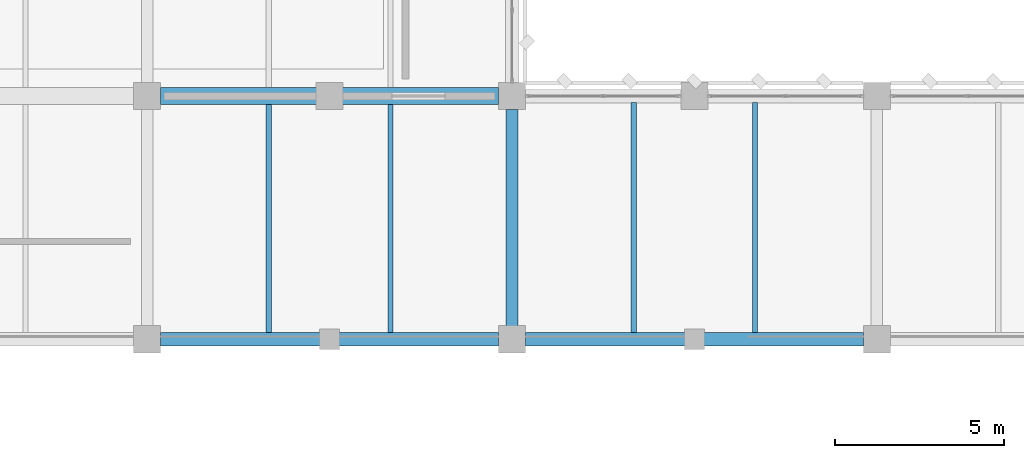
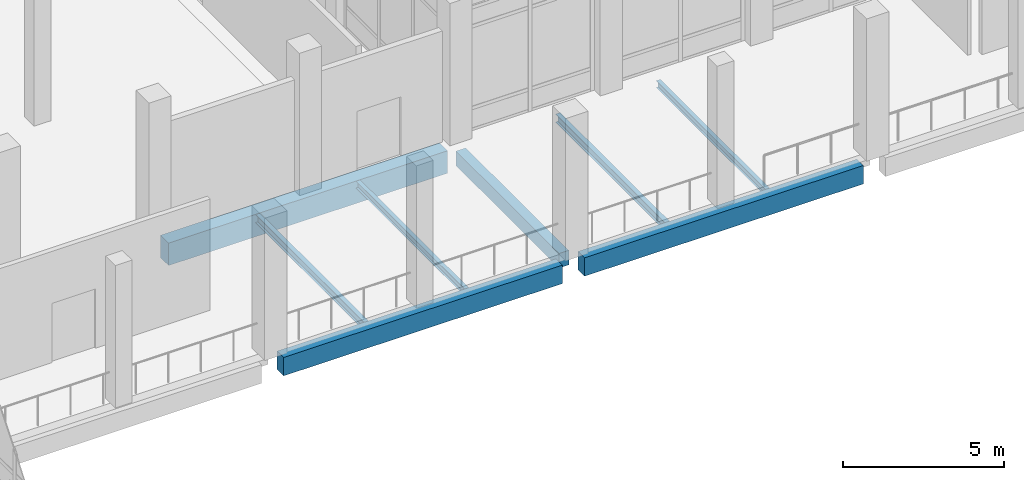
# One storey, part 19 of 180: 8 beams.
"""IFC4 building model written with IfcOpenShell, lengths in metres."""

import ifcopenshell
import ifcopenshell.guid

model = None  # the IFC model being written
_history = None  # IfcOwnerHistory: only IFC2X3 demands one
_inside = {}  # id of a spatial element -> (the spatial element, [elements in it])
_under = {}  # id of a project, library or spatial element -> (it, [spatial elements below it])
_declared = {}  # id of a project -> (the project, [libraries it declares])
_typed = {}  # id of a type object -> (the type object, [elements of that type])
_made_of = {}  # id of a material, layer set ... -> (it, [elements and type objects made of it])


def new_model(schema):
    """Start an empty IFC model of exactly this schema.

    Asked for "IFC4X3", IfcOpenShell would pick the latest addendum, in which some entities
    have other attributes; the version numbers below select the first issue.
    IFC2X3 requires an IfcOwnerHistory on every rooted entity: one is made here for all.
    """
    global model, _history
    if schema == "IFC4X3":
        model = ifcopenshell.file(schema_version=(4, 3, 0, 0))
    else:
        model = ifcopenshell.file(schema=schema)
    _inside.clear()
    _under.clear()
    _declared.clear()
    _typed.clear()
    _made_of.clear()
    _history = None
    if model.schema == "IFC2X3":
        org = make("IfcOrganization", Name="unknown")
        user = make(
            "IfcPersonAndOrganization",
            ThePerson=make("IfcPerson", FamilyName="unknown"),
            TheOrganization=org,
        )
        app = make(
            "IfcApplication",
            ApplicationDeveloper=org,
            Version="unknown",
            ApplicationFullName="unknown",
            ApplicationIdentifier="unknown",
        )
        _history = make(
            "IfcOwnerHistory",
            OwningUser=user,
            OwningApplication=app,
            ChangeAction="ADDED",
            CreationDate=0,
        )
    return model


def make(cls, **values):
    """One entity of the class cls with the attributes given. An attribute that is None is left unset."""
    return model.create_entity(
        cls, **{name: value for name, value in values.items() if value is not None}
    )


def rooted(cls, **values):
    """An entity with a GlobalId (a new one), such as an element, a storey or a relation."""
    return make(cls, GlobalId=ifcopenshell.guid.new(), OwnerHistory=_history, **values)


def si_unit(unit_type, name, prefix=None):
    """IfcSIUnit, for example si_unit("LENGTHUNIT", "METRE", prefix="MILLI")."""
    return make("IfcSIUnit", UnitType=unit_type, Prefix=prefix, Name=name)


def assignment(units):
    """IfcUnitAssignment: the units of a project."""
    return None if units is None else make("IfcUnitAssignment", Units=units)


def point(xyz):
    """IfcCartesianPoint."""
    return None if xyz is None else make("IfcCartesianPoint", Coordinates=xyz)


def direction(xyz):
    """IfcDirection."""
    return None if xyz is None else make("IfcDirection", DirectionRatios=xyz)


def frame(location, z_axis=None, x_axis=None):
    """IfcAxis2Placement3D, a coordinate frame: its origin and axes. An axis left out is left unset."""
    return make(
        "IfcAxis2Placement3D",
        Location=point(location),
        Axis=direction(z_axis),
        RefDirection=direction(x_axis),
    )


def frame_2d(location, x_axis=None):
    """IfcAxis2Placement2D, a coordinate frame in the plane: its origin and x axis."""
    return make(
        "IfcAxis2Placement2D", Location=point(location), RefDirection=direction(x_axis)
    )


def origin():
    """The frame at (0, 0, 0) with its axes left unset."""
    return frame((0.0, 0.0, 0.0))


def origin_2d():
    """The frame at (0, 0) in the plane with its x axis left unset."""
    return frame_2d((0.0, 0.0))


def place(relative_to, where):
    """IfcLocalPlacement: puts the frame where relative to a parent placement (None: the world)."""
    return make(
        "IfcLocalPlacement", PlacementRelTo=relative_to, RelativePlacement=where
    )


def context(
    kind, dimensions, precision=None, world=None, true_north=None, identifier=None
):
    """IfcGeometricRepresentationContext, for example the 3D "Model" context."""
    return make(
        "IfcGeometricRepresentationContext",
        ContextIdentifier=identifier,
        ContextType=kind,
        CoordinateSpaceDimension=dimensions,
        Precision=precision,
        WorldCoordinateSystem=world,
        TrueNorth=true_north,
    )


def subcontext(parent, identifier, kind, view, scale=None):
    """IfcGeometricRepresentationSubContext, for example "Body" below "Model"."""
    return make(
        "IfcGeometricRepresentationSubContext",
        ContextIdentifier=identifier,
        ContextType=kind,
        ParentContext=parent,
        TargetScale=scale,
        TargetView=view,
    )


def project(units=None, contexts=None):
    """IfcProject with its units and contexts."""
    return rooted(
        "IfcProject",
        Name="project",
        RepresentationContexts=contexts,
        UnitsInContext=assignment(units),
    )


def spatial(cls, under=None, at=None, **own):
    """A site, building, storey or space (cls), placed at a placement, below another one or the project."""
    s = rooted(cls, ObjectPlacement=at, **own)
    if under is not None:
        _under.setdefault(under.id(), (under, []))[1].append(s)
    return s


def profile(cls, at=None, kind="AREA", **sizes):
    """A parametric profile (cls). Its sizes go by their IFC names, for example OverallWidth=200.0."""
    return make(cls, ProfileType=kind, Position=at, **sizes)


def rectangle(**sizes):
    """IfcRectangleProfileDef."""
    return profile("IfcRectangleProfileDef", **sizes)


def i_section(**sizes):
    """IfcIShapeProfileDef."""
    return profile("IfcIShapeProfileDef", **sizes)


def extrude(swept, where, along, depth):
    """IfcExtrudedAreaSolid: the profile swept, set in the frame where, extruded along a direction by depth."""
    return make(
        "IfcExtrudedAreaSolid",
        SweptArea=swept,
        Position=where,
        ExtrudedDirection=direction(along),
        Depth=depth,
    )


def shape(context_of_items, identifier, shape_type, items):
    """IfcShapeRepresentation: the items that make up one representation, for example the "Body"."""
    return make(
        "IfcShapeRepresentation",
        ContextOfItems=context_of_items,
        RepresentationIdentifier=identifier,
        RepresentationType=shape_type,
        Items=items,
    )


def material(Name=None, Category=None):
    """IfcMaterial."""
    return make("IfcMaterial", Name=Name, Category=Category)


def material_profile(
    of_material, cross_section, Name=None, Category=None, Priority=None
):
    """IfcMaterialProfile: a cross section and its material."""
    return make(
        "IfcMaterialProfile",
        Name=Name,
        Material=of_material,
        Profile=cross_section,
        Priority=Priority,
        Category=Category,
    )


def profile_set(profiles, Name=None, composite=None):
    """IfcMaterialProfileSet."""
    return make(
        "IfcMaterialProfileSet",
        Name=Name,
        MaterialProfiles=profiles,
        CompositeProfile=composite,
    )


def made_of(thing, what):
    """Note that an element or type object is made of a material, layer set ...; save() writes the relation."""
    if what is not None:
        _made_of.setdefault(what.id(), (what, []))[1].append(thing)
    return thing


def type_object(cls, material=None, **own):
    """A type object (cls), such as IfcWallType, which elements share."""
    return made_of(rooted(cls, **own), material)


def element(
    cls,
    number,
    at=None,
    inside=None,
    cuts=None,
    type_object=None,
    material=None,
    context=None,
    identifier="Body",
    shape_type=None,
    held_by="IfcProductDefinitionShape",
    body=None,
    shapes=None,
    **own,
):
    """One element of the class cls, such as IfcWall. Its Tag is "e" and its number.

    at: its placement. inside: the storey or other place that contains it. cuts: it is an
    opening in that element (IfcRelVoidsElement). A single representation is given by context,
    identifier, shape_type and body (its items); several are given by shapes. held_by: the class
    of the entity that holds the representations. save() writes the other relations.
    """
    e = rooted(cls, Tag="e%d" % number, ObjectPlacement=at, **own)
    if body is not None:
        shapes = [shape(context, identifier, shape_type, body)]
    if shapes is not None:
        e.Representation = make(held_by, Representations=shapes)
    if inside is not None:
        _inside.setdefault(inside.id(), (inside, []))[1].append(e)
    if cuts is not None:
        rooted(
            "IfcRelVoidsElement", RelatingBuildingElement=cuts, RelatedOpeningElement=e
        )
    if type_object is not None:
        _typed.setdefault(type_object.id(), (type_object, []))[1].append(e)
    return made_of(e, material)


def aggregate(whole, parts):
    """IfcRelAggregates: a whole, such as a stair, and the parts it consists of."""
    return rooted("IfcRelAggregates", RelatingObject=whole, RelatedObjects=parts)


def save(model, path):
    """Write the relations noted so far, then the file.

    IfcRelAggregates (storeys below a building ...), IfcRelContainedInSpatialStructure (elements
    in a storey), IfcRelDefinesByType, IfcRelAssociatesMaterial and IfcRelDeclares: one each for
    every whole, place, type object, material and project.
    """
    for whole, parts in _under.values():
        aggregate(whole, parts)
    for where, things in _inside.values():
        rooted(
            "IfcRelContainedInSpatialStructure",
            RelatedElements=things,
            RelatingStructure=where,
        )
    for kind, things in _typed.values():
        rooted("IfcRelDefinesByType", RelatedObjects=things, RelatingType=kind)
    for what, things in _made_of.values():
        rooted("IfcRelAssociatesMaterial", RelatedObjects=things, RelatingMaterial=what)
    for by, libraries in _declared.values():
        rooted("IfcRelDeclares", RelatingContext=by, RelatedDefinitions=libraries)
    model.write(path)


model = new_model("IFC4")

# Units and contexts
model_context = context("Model", 3, precision=1e-05, world=origin(), true_north=direction((0.0, 1.0)))
body_context = subcontext(model_context, "Body", "Model", "MODEL_VIEW")
ifc_project = project(units=[si_unit("LENGTHUNIT", "METRE"), si_unit("AREAUNIT", "SQUARE_METRE"), si_unit("VOLUMEUNIT", "CUBIC_METRE"), si_unit("PLANEANGLEUNIT", "RADIAN"), si_unit("MASSUNIT", "GRAM", prefix="KILO")], contexts=[model_context])

# Site, building, storey
site_placement = place(None, origin())
site = spatial("IfcSite", under=ifc_project, at=site_placement, CompositionType="ELEMENT")
building_placement = place(site_placement, origin())
building = spatial("IfcBuilding", under=site, at=building_placement, Name="Lusvemor Sports Hall", CompositionType="ELEMENT")
storey_placement = place(building_placement, frame((0.0, 0.0, 5.39990234375)))
storey = spatial("IfcBuildingStorey", under=building, at=storey_placement, Name="L01", CompositionType="ELEMENT", Elevation=5.39990234375)

# Beams
ifc_material_1 = material(Name="Concrete C40/50", Category="concrete")
ifc_material_profile_1 = material_profile(ifc_material_1, rectangle(XDim=0.35009765625, YDim=0.550048828125, at=origin_2d()), Name="RC350x550")
ifc_profile_set_1 = profile_set([ifc_material_profile_1], Name="Concrete C40/50")
beam_type_1 = type_object("IfcBeamType", Name="BEAM_RC_550", PredefinedType="BEAM", material=ifc_profile_set_1)
beam_1_placement = place(storey_placement, frame((21.60009765625, 39.99609375, -0.554931640625), z_axis=(0.0, 1.0, 0.0), x_axis=(-1.0, 0.0, 0.0)))
element("IfcBeam", 1, at=beam_1_placement, inside=storey, type_object=beam_type_1, Name="Beam L01 3:E-F", PredefinedType="BEAM", context=body_context, shape_type="SweptSolid", body=[
    extrude(rectangle(XDim=0.35009765625, YDim=0.550048828125, at=origin_2d()), origin(), (0.0, 0.0, 1.0), 6.407958984375),
])
ifc_material_2 = material(Name="Concrete C40/50", Category="concrete")
ifc_material_profile_2 = material_profile(ifc_material_2, rectangle(XDim=0.5, YDim=0.85009765625, at=origin_2d()), Name="RC500x850")
ifc_profile_set_2 = profile_set([ifc_material_profile_2], Name="Concrete C40/50")
beam_type_2 = type_object("IfcBeamType", Name="GIRD_RC_850", PredefinedType="T_BEAM", material=ifc_profile_set_2)
beam_2_placement = place(storey_placement, frame((11.196044921875, 46.800048828125, -0.704833984375), z_axis=(1.0, 0.0, 0.0), x_axis=(0.0, 1.0, 0.0)))
element("IfcBeam", 2, at=beam_2_placement, inside=storey, type_object=beam_type_2, Name="Beam L01 F:2-3", PredefinedType="T_BEAM", context=body_context, shape_type="SweptSolid", body=[
    extrude(rectangle(XDim=0.5, YDim=0.85009765625, at=origin_2d()), origin(), (0.0, 0.0, 1.0), 10.008056640625),
])
ifc_material_3 = material(Name="Steel S355", Category="steel")
ifc_material_profile_3 = material_profile(ifc_material_3, i_section(OverallWidth=0.14794921875, OverallDepth=0.26611328125, WebThickness=0.007568359375, FlangeThickness=0.012939453125, FilletRadius=0.012939453125, at=origin_2d()), Name="W250x44.8")
ifc_profile_set_3 = profile_set([ifc_material_profile_3], Name="Steel S355")
beam_type_3 = type_object("IfcBeamType", Name="JOIST_ST_250M", PredefinedType="JOIST", material=ifc_profile_set_3)
beam_3_placement = place(storey_placement, frame((18.0, 39.7958984375, -0.4169921875), z_axis=(0.0, 1.0, 0.0), x_axis=(-1.0, 0.0, 0.0)))
element("IfcBeam", 3, at=beam_3_placement, inside=storey, type_object=beam_type_3, Name="Secondary Joist L01 2-3/E-F #2", PredefinedType="JOIST", context=body_context, shape_type="SweptSolid", body=[
    extrude(i_section(OverallWidth=0.14794921875, OverallDepth=0.26611328125, WebThickness=0.007568359375, FlangeThickness=0.012939453125, FilletRadius=0.012939453125, at=origin_2d()), origin(), (0.0, 0.0, 1.0), 6.758056640625),
])
beam_4_placement = place(storey_placement, frame((28.800048828125, 39.7958984375, -0.4169921875), z_axis=(0.0, 1.0, 0.0), x_axis=(-1.0, 0.0, 0.0)))
element("IfcBeam", 4, at=beam_4_placement, inside=storey, type_object=beam_type_3, Name="Secondary Joist L01 3-4/E-F #2", PredefinedType="JOIST", context=body_context, shape_type="SweptSolid", body=[
    extrude(i_section(OverallWidth=0.14794921875, OverallDepth=0.26611328125, WebThickness=0.007568359375, FlangeThickness=0.012939453125, FilletRadius=0.012939453125, at=origin_2d()), origin(), (0.0, 0.0, 1.0), 6.80810546875),
])
ifc_material_4 = material(Name="Steel S355", Category="steel")
ifc_material_profile_4 = material_profile(ifc_material_4, i_section(OverallWidth=0.1669921875, OverallDepth=0.31689453125, WebThickness=0.007568359375, FlangeThickness=0.01318359375, FilletRadius=0.014892578125, at=origin_2d()), Name="W310x52.0")
ifc_profile_set_4 = profile_set([ifc_material_profile_4], Name="Steel S355")
beam_type_4 = type_object("IfcBeamType", Name="JOIST_ST_310M", PredefinedType="JOIST", material=ifc_profile_set_4)
beam_5_placement = place(storey_placement, frame((14.39990234375, 39.7958984375, -0.4423828125), z_axis=(0.0, 1.0, 0.0), x_axis=(-1.0, 0.0, 0.0)))
element("IfcBeam", 5, at=beam_5_placement, inside=storey, type_object=beam_type_4, Name="Secondary Joist L01 2-3/E-F #1", PredefinedType="JOIST", context=body_context, shape_type="SweptSolid", body=[
    extrude(i_section(OverallWidth=0.1669921875, OverallDepth=0.31689453125, WebThickness=0.007568359375, FlangeThickness=0.01318359375, FilletRadius=0.014892578125, at=origin_2d()), origin(), (0.0, 0.0, 1.0), 6.758056640625),
])
beam_6_placement = place(storey_placement, frame((25.199951171875, 39.7958984375, -0.4423828125), z_axis=(0.0, 1.0, 0.0), x_axis=(-1.0, 0.0, 0.0)))
element("IfcBeam", 6, at=beam_6_placement, inside=storey, type_object=beam_type_4, Name="Secondary Joist L01 3-4/E-F #1", PredefinedType="JOIST", context=body_context, shape_type="SweptSolid", body=[
    extrude(i_section(OverallWidth=0.1669921875, OverallDepth=0.31689453125, WebThickness=0.007568359375, FlangeThickness=0.01318359375, FilletRadius=0.014892578125, at=origin_2d()), origin(), (0.0, 0.0, 1.0), 6.80810546875),
])
ifc_material_5 = material(Name="Concrete C40/50", Category="concrete")
ifc_material_profile_5 = material_profile(ifc_material_5, rectangle(XDim=0.39990234375, YDim=0.699951171875, at=origin_2d()), Name="RC400x700")
ifc_profile_set_5 = profile_set([ifc_material_profile_5], Name="Concrete C40/50")
beam_type_5 = type_object("IfcBeamType", Name="SPAND_EXT_700", PredefinedType="SPANDREL", material=ifc_profile_set_5)
beam_7_placement = place(storey_placement, frame((11.196044921875, 39.60009765625, -0.6298828125), z_axis=(1.0, 0.0, 0.0), x_axis=(0.0, 1.0, 0.0)))
element("IfcBeam", 7, at=beam_7_placement, inside=storey, type_object=beam_type_5, Name="Beam L01 E:2-3", PredefinedType="SPANDREL", context=body_context, shape_type="SweptSolid", body=[
    extrude(rectangle(XDim=0.39990234375, YDim=0.699951171875, at=origin_2d()), origin(), (0.0, 0.0, 1.0), 10.008056640625),
])
beam_8_placement = place(storey_placement, frame((21.99609375, 39.60009765625, -0.6298828125), z_axis=(1.0, 0.0, 0.0), x_axis=(0.0, 1.0, 0.0)))
element("IfcBeam", 8, at=beam_8_placement, inside=storey, type_object=beam_type_5, Name="Beam L01 E:3-4", PredefinedType="SPANDREL", context=body_context, shape_type="SweptSolid", body=[
    extrude(rectangle(XDim=0.39990234375, YDim=0.699951171875, at=origin_2d()), origin(), (0.0, 0.0, 1.0), 10.0078125),
])

save(model, "model.ifc")
